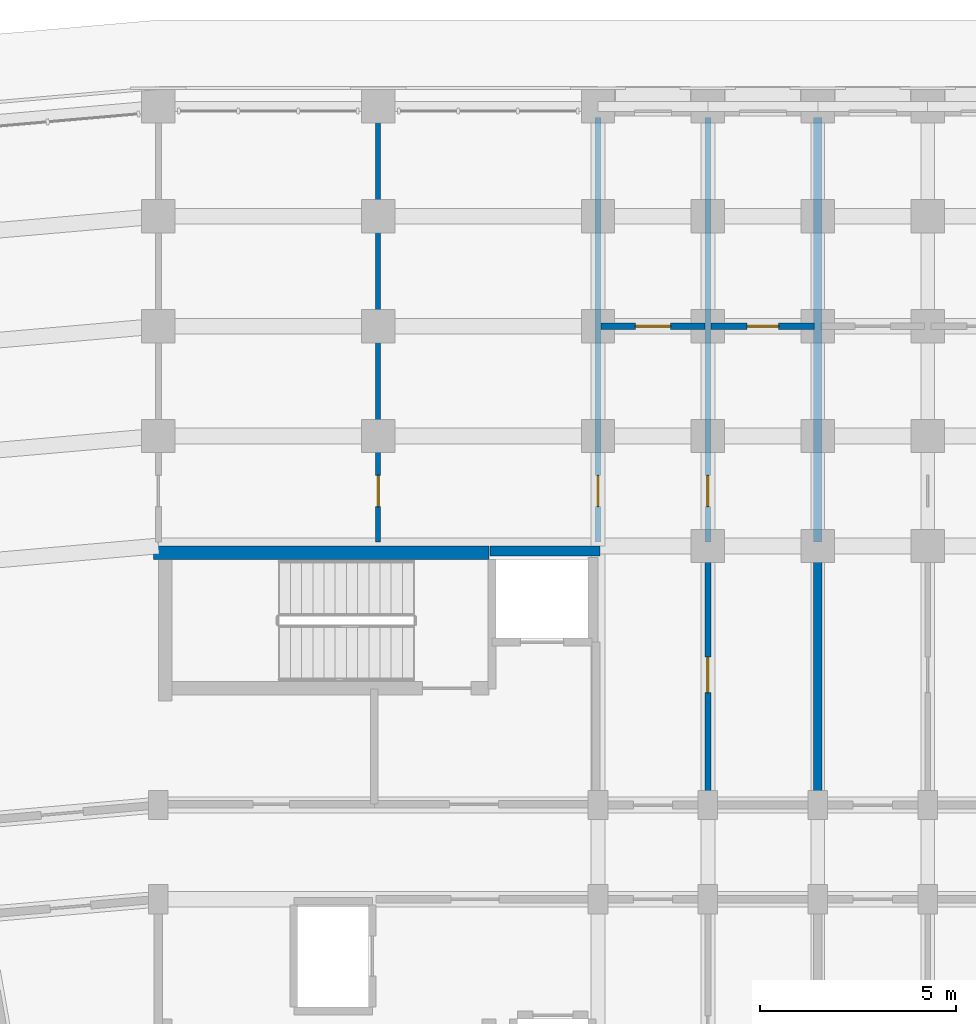
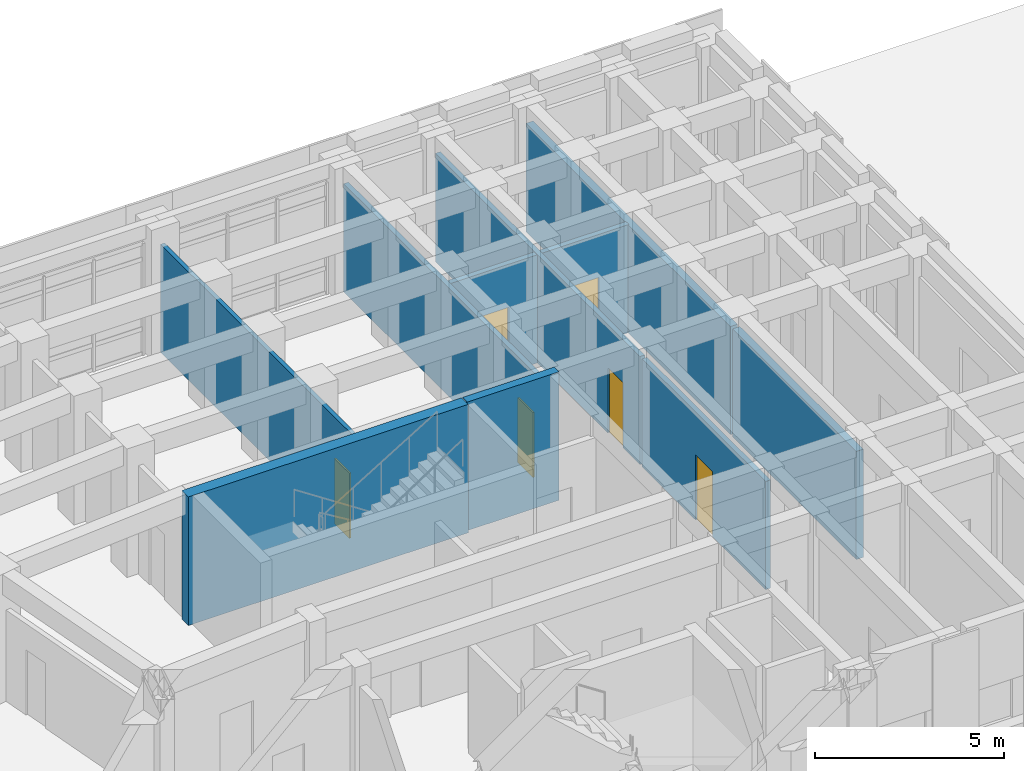
# One storey, part 102 of 135: 10 walls, 6 doors, 6 openings.
"""IFC4 building model written with IfcOpenShell, lengths in metres."""

import ifcopenshell
import ifcopenshell.guid

model = None  # the IFC model being written
_history = None  # IfcOwnerHistory: only IFC2X3 demands one
_inside = {}  # id of a spatial element -> (the spatial element, [elements in it])
_under = {}  # id of a project, library or spatial element -> (it, [spatial elements below it])
_declared = {}  # id of a project -> (the project, [libraries it declares])
_typed = {}  # id of a type object -> (the type object, [elements of that type])
_made_of = {}  # id of a material, layer set ... -> (it, [elements and type objects made of it])


def new_model(schema):
    """Start an empty IFC model of exactly this schema.

    Asked for "IFC4X3", IfcOpenShell would pick the latest addendum, in which some entities
    have other attributes; the version numbers below select the first issue.
    IFC2X3 requires an IfcOwnerHistory on every rooted entity: one is made here for all.
    """
    global model, _history
    if schema == "IFC4X3":
        model = ifcopenshell.file(schema_version=(4, 3, 0, 0))
    else:
        model = ifcopenshell.file(schema=schema)
    _inside.clear()
    _under.clear()
    _declared.clear()
    _typed.clear()
    _made_of.clear()
    _history = None
    if model.schema == "IFC2X3":
        org = make("IfcOrganization", Name="unknown")
        user = make(
            "IfcPersonAndOrganization",
            ThePerson=make("IfcPerson", FamilyName="unknown"),
            TheOrganization=org,
        )
        app = make(
            "IfcApplication",
            ApplicationDeveloper=org,
            Version="unknown",
            ApplicationFullName="unknown",
            ApplicationIdentifier="unknown",
        )
        _history = make(
            "IfcOwnerHistory",
            OwningUser=user,
            OwningApplication=app,
            ChangeAction="ADDED",
            CreationDate=0,
        )
    return model


def make(cls, **values):
    """One entity of the class cls with the attributes given. An attribute that is None is left unset."""
    return model.create_entity(
        cls, **{name: value for name, value in values.items() if value is not None}
    )


def rooted(cls, **values):
    """An entity with a GlobalId (a new one), such as an element, a storey or a relation."""
    return make(cls, GlobalId=ifcopenshell.guid.new(), OwnerHistory=_history, **values)


def si_unit(unit_type, name, prefix=None):
    """IfcSIUnit, for example si_unit("LENGTHUNIT", "METRE", prefix="MILLI")."""
    return make("IfcSIUnit", UnitType=unit_type, Prefix=prefix, Name=name)


def assignment(units):
    """IfcUnitAssignment: the units of a project."""
    return None if units is None else make("IfcUnitAssignment", Units=units)


def point(xyz):
    """IfcCartesianPoint."""
    return None if xyz is None else make("IfcCartesianPoint", Coordinates=xyz)


def direction(xyz):
    """IfcDirection."""
    return None if xyz is None else make("IfcDirection", DirectionRatios=xyz)


def frame(location, z_axis=None, x_axis=None):
    """IfcAxis2Placement3D, a coordinate frame: its origin and axes. An axis left out is left unset."""
    return make(
        "IfcAxis2Placement3D",
        Location=point(location),
        Axis=direction(z_axis),
        RefDirection=direction(x_axis),
    )


def frame_2d(location, x_axis=None):
    """IfcAxis2Placement2D, a coordinate frame in the plane: its origin and x axis."""
    return make(
        "IfcAxis2Placement2D", Location=point(location), RefDirection=direction(x_axis)
    )


def origin():
    """The frame at (0, 0, 0) with its axes left unset."""
    return frame((0.0, 0.0, 0.0))


def place(relative_to, where):
    """IfcLocalPlacement: puts the frame where relative to a parent placement (None: the world)."""
    return make(
        "IfcLocalPlacement", PlacementRelTo=relative_to, RelativePlacement=where
    )


def context(
    kind, dimensions, precision=None, world=None, true_north=None, identifier=None
):
    """IfcGeometricRepresentationContext, for example the 3D "Model" context."""
    return make(
        "IfcGeometricRepresentationContext",
        ContextIdentifier=identifier,
        ContextType=kind,
        CoordinateSpaceDimension=dimensions,
        Precision=precision,
        WorldCoordinateSystem=world,
        TrueNorth=true_north,
    )


def subcontext(parent, identifier, kind, view, scale=None):
    """IfcGeometricRepresentationSubContext, for example "Body" below "Model"."""
    return make(
        "IfcGeometricRepresentationSubContext",
        ContextIdentifier=identifier,
        ContextType=kind,
        ParentContext=parent,
        TargetScale=scale,
        TargetView=view,
    )


def project(units=None, contexts=None):
    """IfcProject with its units and contexts."""
    return rooted(
        "IfcProject",
        Name="project",
        RepresentationContexts=contexts,
        UnitsInContext=assignment(units),
    )


def spatial(cls, under=None, at=None, **own):
    """A site, building, storey or space (cls), placed at a placement, below another one or the project."""
    s = rooted(cls, ObjectPlacement=at, **own)
    if under is not None:
        _under.setdefault(under.id(), (under, []))[1].append(s)
    return s


def profile(cls, at=None, kind="AREA", **sizes):
    """A parametric profile (cls). Its sizes go by their IFC names, for example OverallWidth=200.0."""
    return make(cls, ProfileType=kind, Position=at, **sizes)


def rectangle(**sizes):
    """IfcRectangleProfileDef."""
    return profile("IfcRectangleProfileDef", **sizes)


def extrude(swept, where, along, depth):
    """IfcExtrudedAreaSolid: the profile swept, set in the frame where, extruded along a direction by depth."""
    return make(
        "IfcExtrudedAreaSolid",
        SweptArea=swept,
        Position=where,
        ExtrudedDirection=direction(along),
        Depth=depth,
    )


def shape(context_of_items, identifier, shape_type, items):
    """IfcShapeRepresentation: the items that make up one representation, for example the "Body"."""
    return make(
        "IfcShapeRepresentation",
        ContextOfItems=context_of_items,
        RepresentationIdentifier=identifier,
        RepresentationType=shape_type,
        Items=items,
    )


def material(Name=None, Category=None):
    """IfcMaterial."""
    return make("IfcMaterial", Name=Name, Category=Category)


def layer(
    of_material, thickness, ventilated=None, Name=None, Category=None, Priority=None
):
    """IfcMaterialLayer: one layer of a wall or slab, of a material (None: an air gap)."""
    return make(
        "IfcMaterialLayer",
        Material=of_material,
        LayerThickness=thickness,
        IsVentilated=ventilated,
        Name=Name,
        Category=Category,
        Priority=Priority,
    )


def layer_set(layers, Name=None):
    """IfcMaterialLayerSet."""
    return make("IfcMaterialLayerSet", MaterialLayers=layers, LayerSetName=Name)


def made_of(thing, what):
    """Note that an element or type object is made of a material, layer set ...; save() writes the relation."""
    if what is not None:
        _made_of.setdefault(what.id(), (what, []))[1].append(thing)
    return thing


def type_object(cls, material=None, **own):
    """A type object (cls), such as IfcWallType, which elements share."""
    return made_of(rooted(cls, **own), material)


def element(
    cls,
    number,
    at=None,
    inside=None,
    cuts=None,
    type_object=None,
    material=None,
    context=None,
    identifier="Body",
    shape_type=None,
    held_by="IfcProductDefinitionShape",
    body=None,
    shapes=None,
    **own,
):
    """One element of the class cls, such as IfcWall. Its Tag is "e" and its number.

    at: its placement. inside: the storey or other place that contains it. cuts: it is an
    opening in that element (IfcRelVoidsElement). A single representation is given by context,
    identifier, shape_type and body (its items); several are given by shapes. held_by: the class
    of the entity that holds the representations. save() writes the other relations.
    """
    e = rooted(cls, Tag="e%d" % number, ObjectPlacement=at, **own)
    if body is not None:
        shapes = [shape(context, identifier, shape_type, body)]
    if shapes is not None:
        e.Representation = make(held_by, Representations=shapes)
    if inside is not None:
        _inside.setdefault(inside.id(), (inside, []))[1].append(e)
    if cuts is not None:
        rooted(
            "IfcRelVoidsElement", RelatingBuildingElement=cuts, RelatedOpeningElement=e
        )
    if type_object is not None:
        _typed.setdefault(type_object.id(), (type_object, []))[1].append(e)
    return made_of(e, material)


def fill(opening, filler):
    """IfcRelFillsElement: the door or window that sits in an opening."""
    return rooted(
        "IfcRelFillsElement",
        RelatingOpeningElement=opening,
        RelatedBuildingElement=filler,
    )


def aggregate(whole, parts):
    """IfcRelAggregates: a whole, such as a stair, and the parts it consists of."""
    return rooted("IfcRelAggregates", RelatingObject=whole, RelatedObjects=parts)


def save(model, path):
    """Write the relations noted so far, then the file.

    IfcRelAggregates (storeys below a building ...), IfcRelContainedInSpatialStructure (elements
    in a storey), IfcRelDefinesByType, IfcRelAssociatesMaterial and IfcRelDeclares: one each for
    every whole, place, type object, material and project.
    """
    for whole, parts in _under.values():
        aggregate(whole, parts)
    for where, things in _inside.values():
        rooted(
            "IfcRelContainedInSpatialStructure",
            RelatedElements=things,
            RelatingStructure=where,
        )
    for kind, things in _typed.values():
        rooted("IfcRelDefinesByType", RelatedObjects=things, RelatingType=kind)
    for what, things in _made_of.values():
        rooted("IfcRelAssociatesMaterial", RelatedObjects=things, RelatingMaterial=what)
    for by, libraries in _declared.values():
        rooted("IfcRelDeclares", RelatingContext=by, RelatedDefinitions=libraries)
    model.write(path)


model = new_model("IFC4")

# Units and contexts
model_context = context("Model", 3, precision=1e-05, world=origin(), true_north=direction((0.0, 1.0)))
body_context = subcontext(model_context, "Body", "Model", "MODEL_VIEW")
ifc_project = project(units=[si_unit("LENGTHUNIT", "METRE"), si_unit("AREAUNIT", "SQUARE_METRE"), si_unit("VOLUMEUNIT", "CUBIC_METRE"), si_unit("PLANEANGLEUNIT", "RADIAN"), si_unit("MASSUNIT", "GRAM", prefix="KILO")], contexts=[model_context])

# Site, building, storey
site_placement = place(None, origin())
site = spatial("IfcSite", under=ifc_project, at=site_placement, CompositionType="ELEMENT")
building_placement = place(site_placement, origin())
building = spatial("IfcBuilding", under=site, at=building_placement, Name="Kiranvali Square Residences", CompositionType="ELEMENT")
storey_placement = place(building_placement, origin())
storey = spatial("IfcBuildingStorey", under=building, at=storey_placement, Name="L00", CompositionType="ELEMENT", Elevation=0.0)

# Walls
ifc_material_1 = material(Name="Autoclaved aerated concrete blockwork masonry", Category="masonry")
ifc_layer_1 = layer(ifc_material_1, 0.219970703125)
ifc_layer_set_1 = layer_set([ifc_layer_1], Name="Autoclaved aerated concrete blockwork masonry")
wall_type_1 = type_object("IfcWallType", Name="WL-DEM-220", PredefinedType="STANDARD", material=ifc_layer_set_1)
wall_1_placement = place(storey_placement, frame((65.0, 116.050048828125, 0.0), z_axis=(0.0, 0.0, 1.0), x_axis=(0.0, 1.0, 0.0)))
element("IfcWall", 1, at=wall_1_placement, inside=storey, type_object=wall_type_1, Name="L00 architectural wall WL-L00-A-A1TO1-2", PredefinedType="STANDARD", context=body_context, shape_type="SweptSolid", body=[
    extrude(rectangle(XDim=6.530029296875, YDim=0.219970703125, at=frame_2d((3.26513671875, 0.0))), origin(), (0.0, 0.0, 1.0), 3.491943359375),
])
wall_2_placement = place(storey_placement, frame((65.0, 122.699951171875, 0.0), z_axis=(0.0, 0.0, 1.0), x_axis=(0.0, 1.0, 0.0)))
element("IfcWall", 2, at=wall_2_placement, inside=storey, type_object=wall_type_1, Name="L00 architectural wall WL-L00-A-A1TO2-2", PredefinedType="STANDARD", context=body_context, shape_type="SweptSolid", body=[
    extrude(rectangle(XDim=10.820068359375, YDim=0.219970703125, at=frame_2d((5.41015625, 0.0))), origin(), (0.0, 0.0, 1.0), 3.491943359375),
])

# Wall, opening, door
ifc_material_2 = material(Name="Acoustic gypsum board drylined partition", Category="gypsum")
ifc_layer_2 = layer(ifc_material_2, 0.125)
ifc_layer_set_2 = layer_set([ifc_layer_2], Name="Acoustic gypsum board drylined partition")
wall_type_2 = type_object("IfcWallType", Name="WL-PRT-125", PredefinedType="PARTITIONING", material=ifc_layer_set_2)
wall_3_placement = place(storey_placement, frame((53.800048828125, 122.699951171875, 0.0), z_axis=(0.0, 0.0, 1.0), x_axis=(0.0, 1.0, 0.0)))
wall_3 = element("IfcWall", 3, at=wall_3_placement, inside=storey, type_object=wall_type_2, Name="L00 architectural wall WL-L00-A-CF-MID", PredefinedType="PARTITIONING", context=body_context, shape_type="SweptSolid", body=[
    extrude(rectangle(XDim=10.820068359375, YDim=0.125, at=frame_2d((5.41015625, 0.0))), origin(), (0.0, 0.0, 1.0), 3.491943359375),
])
opening_1_placement = place(wall_3_placement, frame((0.8994140625, 0.0, 0.0)))
opening_1 = element("IfcOpeningElement", 4, at=opening_1_placement, cuts=wall_3, Name="Opening ID-WET", PredefinedType="OPENING", context=body_context, shape_type="SweptSolid", body=[
    extrude(rectangle(XDim=0.800048828125, YDim=2.10009765625, at=frame_2d((0.39990234375, 1.050048828125))), frame((0.0, 0.072509765625, 0.0), z_axis=(0.0, -1.0, 0.0), x_axis=(1.0, 0.0, 0.0)), (0.0, 0.0, 1.0), 0.14501953125),
])
ifc_material_3 = material(Name="Solid seasoned teak hardwood joinery", Category="wood")
door_type_1 = type_object("IfcDoorType", Name="DR-WET-800", OperationType="NOTDEFINED", PredefinedType="DOOR", material=ifc_material_3)
door_1_placement = place(opening_1_placement, frame((0.800048828125, 0.0, 0.0), z_axis=(0.0, 0.0, 1.0), x_axis=(-1.0, 0.0, 0.0)))
door_1 = element("IfcDoor", 5, at=door_1_placement, inside=storey, type_object=door_type_1, Name="L00 door DR-L00-0056 (DR-WET-800)", OperationType="SINGLE_SWING_RIGHT", OverallHeight=2.10009765625, OverallWidth=0.800048828125, PredefinedType="DOOR", context=body_context, shape_type="SweptSolid", body=[
    extrude(rectangle(XDim=0.800048828125, YDim=2.10009765625, at=frame_2d((0.39990234375, 1.050048828125))), frame((0.0, 0.02490234375, 0.0), z_axis=(0.0, -1.0, 0.0), x_axis=(1.0, 0.0, 0.0)), (0.0, 0.0, 1.0), 0.050048828125),
])
fill(opening_1, door_1)

ifc_layer_3 = layer(ifc_material_2, 0.14990234375)
ifc_layer_set_3 = layer_set([ifc_layer_3], Name="Acoustic gypsum board drylined partition")
wall_type_3 = type_object("IfcWallType", Name="WL-PRT-150", PredefinedType="PARTITIONING", material=ifc_layer_set_3)
wall_4_placement = place(storey_placement, frame((59.39990234375, 122.699951171875, 0.0), z_axis=(0.0, 0.0, 1.0), x_axis=(0.0, 1.0, 0.0)))
wall_4 = element("IfcWall", 6, at=wall_4_placement, inside=storey, type_object=wall_type_3, Name="L00 architectural wall WL-L00-A-A1TO2-0", PredefinedType="PARTITIONING", context=body_context, shape_type="SweptSolid", body=[
    extrude(rectangle(XDim=10.820068359375, YDim=0.14990234375, at=frame_2d((5.41015625, 0.0))), origin(), (0.0, 0.0, 1.0), 3.491943359375),
])
opening_2_placement = place(wall_4_placement, frame((0.8994140625, 0.0, 0.0)))
opening_2 = element("IfcOpeningElement", 7, at=opening_2_placement, cuts=wall_4, Name="Opening ID-WET", PredefinedType="OPENING", context=body_context, shape_type="SweptSolid", body=[
    extrude(rectangle(XDim=0.800048828125, YDim=2.10009765625, at=frame_2d((0.39990234375, 1.050048828125))), frame((0.0, 0.0849609375, 0.0), z_axis=(0.0, -1.0, 0.0), x_axis=(1.0, 0.0, 0.0)), (0.0, 0.0, 1.0), 0.169921875),
])
door_2_placement = place(opening_2_placement, origin())
door_2 = element("IfcDoor", 8, at=door_2_placement, inside=storey, type_object=door_type_1, Name="L00 door DR-L00-0065 (DR-WET-800)", OperationType="SINGLE_SWING_LEFT", OverallHeight=2.10009765625, OverallWidth=0.800048828125, PredefinedType="DOOR", context=body_context, shape_type="SweptSolid", body=[
    extrude(rectangle(XDim=0.800048828125, YDim=2.10009765625, at=frame_2d((0.39990234375, 1.050048828125))), frame((0.0, 0.02490234375, 0.0), z_axis=(0.0, -1.0, 0.0), x_axis=(1.0, 0.0, 0.0)), (0.0, 0.0, 1.0), 0.050048828125),
])
fill(opening_2, door_2)

wall_5_placement = place(storey_placement, frame((62.199951171875, 116.050048828125, 0.0), z_axis=(0.0, 0.0, 1.0), x_axis=(0.0, 1.0, 0.0)))
wall_5 = element("IfcWall", 9, at=wall_5_placement, inside=storey, type_object=wall_type_3, Name="L00 architectural wall WL-L00-A-A1TO1-1", PredefinedType="PARTITIONING", context=body_context, shape_type="SweptSolid", body=[
    extrude(rectangle(XDim=6.530029296875, YDim=0.14990234375, at=frame_2d((3.26513671875, 0.0))), origin(), (0.0, 0.0, 1.0), 3.491943359375),
])
opening_3_placement = place(wall_5_placement, frame((2.81494140625, 0.0, 0.0)))
opening_3 = element("IfcOpeningElement", 10, at=opening_3_placement, cuts=wall_5, Name="Opening ID-1", PredefinedType="OPENING", context=body_context, shape_type="SweptSolid", body=[
    extrude(rectangle(XDim=0.89990234375, YDim=2.10009765625, at=frame_2d((0.449951171875, 1.050048828125))), frame((0.0, 0.0849609375, 0.0), z_axis=(0.0, -1.0, 0.0), x_axis=(1.0, 0.0, 0.0)), (0.0, 0.0, 1.0), 0.169921875),
])
door_type_2 = type_object("IfcDoorType", Name="DR-INT-900", OperationType="NOTDEFINED", PredefinedType="DOOR", material=ifc_material_3)
door_3_placement = place(opening_3_placement, origin())
door_3 = element("IfcDoor", 11, at=door_3_placement, inside=storey, type_object=door_type_2, Name="L00 door DR-L00-0067 (DR-INT-900)", OperationType="SINGLE_SWING_LEFT", OverallHeight=2.10009765625, OverallWidth=0.89990234375, PredefinedType="DOOR", context=body_context, shape_type="SweptSolid", body=[
    extrude(rectangle(XDim=0.89990234375, YDim=2.10009765625, at=frame_2d((0.449951171875, 1.050048828125))), frame((0.0, 0.02490234375, 0.0), z_axis=(0.0, -1.0, 0.0), x_axis=(1.0, 0.0, 0.0)), (0.0, 0.0, 1.0), 0.050048828125),
])
fill(opening_3, door_3)

wall_6_placement = place(storey_placement, frame((62.199951171875, 122.699951171875, 0.0), z_axis=(0.0, 0.0, 1.0), x_axis=(0.0, 1.0, 0.0)))
wall_6 = element("IfcWall", 12, at=wall_6_placement, inside=storey, type_object=wall_type_3, Name="L00 architectural wall WL-L00-A-A1TO2-1", PredefinedType="PARTITIONING", context=body_context, shape_type="SweptSolid", body=[
    extrude(rectangle(XDim=10.820068359375, YDim=0.14990234375, at=frame_2d((5.41015625, 0.0))), origin(), (0.0, 0.0, 1.0), 3.491943359375),
])
opening_4_placement = place(wall_6_placement, frame((0.8994140625, 0.0, 0.0)))
opening_4 = element("IfcOpeningElement", 13, at=opening_4_placement, cuts=wall_6, Name="Opening ID-WET", PredefinedType="OPENING", context=body_context, shape_type="SweptSolid", body=[
    extrude(rectangle(XDim=0.800048828125, YDim=2.10009765625, at=frame_2d((0.39990234375, 1.050048828125))), frame((0.0, 0.0849609375, 0.0), z_axis=(0.0, -1.0, 0.0), x_axis=(1.0, 0.0, 0.0)), (0.0, 0.0, 1.0), 0.169921875),
])
door_4_placement = place(opening_4_placement, frame((0.800048828125, 0.0, 0.0), z_axis=(0.0, 0.0, 1.0), x_axis=(-1.0, 0.0, 0.0)))
door_4 = element("IfcDoor", 14, at=door_4_placement, inside=storey, type_object=door_type_1, Name="L00 door DR-L00-0068 (DR-WET-800)", OperationType="SINGLE_SWING_RIGHT", OverallHeight=2.10009765625, OverallWidth=0.800048828125, PredefinedType="DOOR", context=body_context, shape_type="SweptSolid", body=[
    extrude(rectangle(XDim=0.800048828125, YDim=2.10009765625, at=frame_2d((0.39990234375, 1.050048828125))), frame((0.0, 0.02490234375, 0.0), z_axis=(0.0, -1.0, 0.0), x_axis=(1.0, 0.0, 0.0)), (0.0, 0.0, 1.0), 0.050048828125),
])
fill(opening_4, door_4)

# Walls
ifc_material_4 = material(Name="Concrete M45 (45 MPa)", Category="concrete")
ifc_layer_4 = layer(ifc_material_4, 0.25)
ifc_layer_set_4 = layer_set([ifc_layer_4], Name="Concrete M45 (45 MPa)")
wall_type_4 = type_object("IfcWallType", Name="WL-SHR-250", PredefinedType="SHEAR", material=ifc_layer_set_4)
wall_7_placement = place(storey_placement, frame((56.64990234375, 122.47509765625, 0.0), z_axis=(0.0, 0.0, 1.0), x_axis=(1.0, 0.0, 0.0)))
element("IfcWall", 15, at=wall_7_placement, inside=storey, type_object=wall_type_4, Name="Block A core shear wall SW-AFF-BK-L00", PredefinedType="SHEAR", context=body_context, shape_type="SweptSolid", body=[
    extrude(rectangle(XDim=2.800048828125, YDim=0.25, at=frame_2d((1.39990234375, 0.0))), origin(), (0.0, 0.0, 1.0), 4.14990234375),
])
ifc_material_5 = material(Name="Concrete M50 (50 MPa)", Category="concrete")
ifc_layer_5 = layer(ifc_material_5, 0.35009765625)
ifc_layer_set_5 = layer_set([ifc_layer_5], Name="Concrete M50 (50 MPa)")
wall_type_5 = type_object("IfcWallType", Name="WL-SHR-350", PredefinedType="SHEAR", material=ifc_layer_set_5)
wall_8_placement = place(storey_placement, frame((48.080078125, 122.425048828125, 0.0), z_axis=(0.0, 0.0, 1.0), x_axis=(1.0, 0.0, 0.0)))
element("IfcWall", 16, at=wall_8_placement, inside=storey, type_object=wall_type_5, Name="Block A core shear wall SW-A1-OUT-L00", PredefinedType="SHEAR", context=body_context, shape_type="SweptSolid", body=[
    extrude(rectangle(XDim=8.544921875, YDim=0.35009765625, at=frame_2d((4.2724609375, 0.0))), origin(), (0.0, 0.0, 1.0), 4.14990234375),
])

# Wall, opening, door
ifc_layer_6 = layer(ifc_material_1, 0.159912109375)
ifc_layer_set_6 = layer_set([ifc_layer_6], Name="Autoclaved aerated concrete blockwork masonry")
wall_type_6 = type_object("IfcWallType", Name="WL-WET-160", PredefinedType="PLUMBINGWALL", material=ifc_layer_set_6)
wall_9_placement = place(storey_placement, frame((59.47998046875, 128.199951171875, 0.0), z_axis=(0.0, 0.0, 1.0), x_axis=(1.0, 0.0, 0.0)))
wall_9 = element("IfcWall", 17, at=wall_9_placement, inside=storey, type_object=wall_type_6, Name="L00 architectural wall WL-L00-A-A1SP-0", PredefinedType="PLUMBINGWALL", context=body_context, shape_type="SweptSolid", body=[
    extrude(rectangle(XDim=2.64013671875, YDim=0.159912109375, at=frame_2d((1.320068359375, 0.0))), origin(), (0.0, 0.0, 1.0), 3.491943359375),
])
opening_5_placement = place(wall_9_placement, frame((0.8701171875, 0.0, 0.0)))
opening_5 = element("IfcOpeningElement", 18, at=opening_5_placement, cuts=wall_9, Name="Opening ID-1", PredefinedType="OPENING", context=body_context, shape_type="SweptSolid", body=[
    extrude(rectangle(XDim=0.89990234375, YDim=2.10009765625, at=frame_2d((0.449951171875, 1.050048828125))), frame((0.0, 0.08984375, 0.0), z_axis=(0.0, -1.0, 0.0), x_axis=(1.0, 0.0, 0.0)), (0.0, 0.0, 1.0), 0.179931640625),
])
door_5_placement = place(opening_5_placement, frame((0.89990234375, 0.0, 0.0), z_axis=(0.0, 0.0, 1.0), x_axis=(-1.0, 0.0, 0.0)))
door_5 = element("IfcDoor", 19, at=door_5_placement, inside=storey, type_object=door_type_2, Name="L00 door DR-L00-0058 (DR-INT-900)", OperationType="SINGLE_SWING_RIGHT", OverallHeight=2.10009765625, OverallWidth=0.89990234375, PredefinedType="DOOR", context=body_context, shape_type="SweptSolid", body=[
    extrude(rectangle(XDim=0.89990234375, YDim=2.10009765625, at=frame_2d((0.449951171875, 1.050048828125))), frame((0.0, 0.02490234375, 0.0), z_axis=(0.0, -1.0, 0.0), x_axis=(1.0, 0.0, 0.0)), (0.0, 0.0, 1.0), 0.050048828125),
])
fill(opening_5, door_5)

wall_10_placement = place(storey_placement, frame((62.280029296875, 128.199951171875, 0.0), z_axis=(0.0, 0.0, 1.0), x_axis=(1.0, 0.0, 0.0)))
wall_10 = element("IfcWall", 20, at=wall_10_placement, inside=storey, type_object=wall_type_6, Name="L00 architectural wall WL-L00-A-A1SP-1", PredefinedType="PLUMBINGWALL", context=body_context, shape_type="SweptSolid", body=[
    extrude(rectangle(XDim=2.639892578125, YDim=0.159912109375, at=frame_2d((1.31982421875, 0.0))), origin(), (0.0, 0.0, 1.0), 3.491943359375),
])
opening_6_placement = place(wall_10_placement, frame((0.919921875, 0.0, 0.0)))
opening_6 = element("IfcOpeningElement", 21, at=opening_6_placement, cuts=wall_10, Name="Opening ID-WET", PredefinedType="OPENING", context=body_context, shape_type="SweptSolid", body=[
    extrude(rectangle(XDim=0.800048828125, YDim=2.10009765625, at=frame_2d((0.39990234375, 1.050048828125))), frame((0.0, 0.08984375, 0.0), z_axis=(0.0, -1.0, 0.0), x_axis=(1.0, 0.0, 0.0)), (0.0, 0.0, 1.0), 0.179931640625),
])
door_6_placement = place(opening_6_placement, frame((0.800048828125, 0.0, 0.0), z_axis=(0.0, 0.0, 1.0), x_axis=(-1.0, 0.0, 0.0)))
door_6 = element("IfcDoor", 22, at=door_6_placement, inside=storey, type_object=door_type_1, Name="L00 door DR-L00-0060 (DR-WET-800)", OperationType="SINGLE_SWING_RIGHT", OverallHeight=2.10009765625, OverallWidth=0.800048828125, PredefinedType="DOOR", context=body_context, shape_type="SweptSolid", body=[
    extrude(rectangle(XDim=0.800048828125, YDim=2.10009765625, at=frame_2d((0.39990234375, 1.050048828125))), frame((0.0, 0.02490234375, 0.0), z_axis=(0.0, -1.0, 0.0), x_axis=(1.0, 0.0, 0.0)), (0.0, 0.0, 1.0), 0.050048828125),
])
fill(opening_6, door_6)

save(model, "model.ifc")
